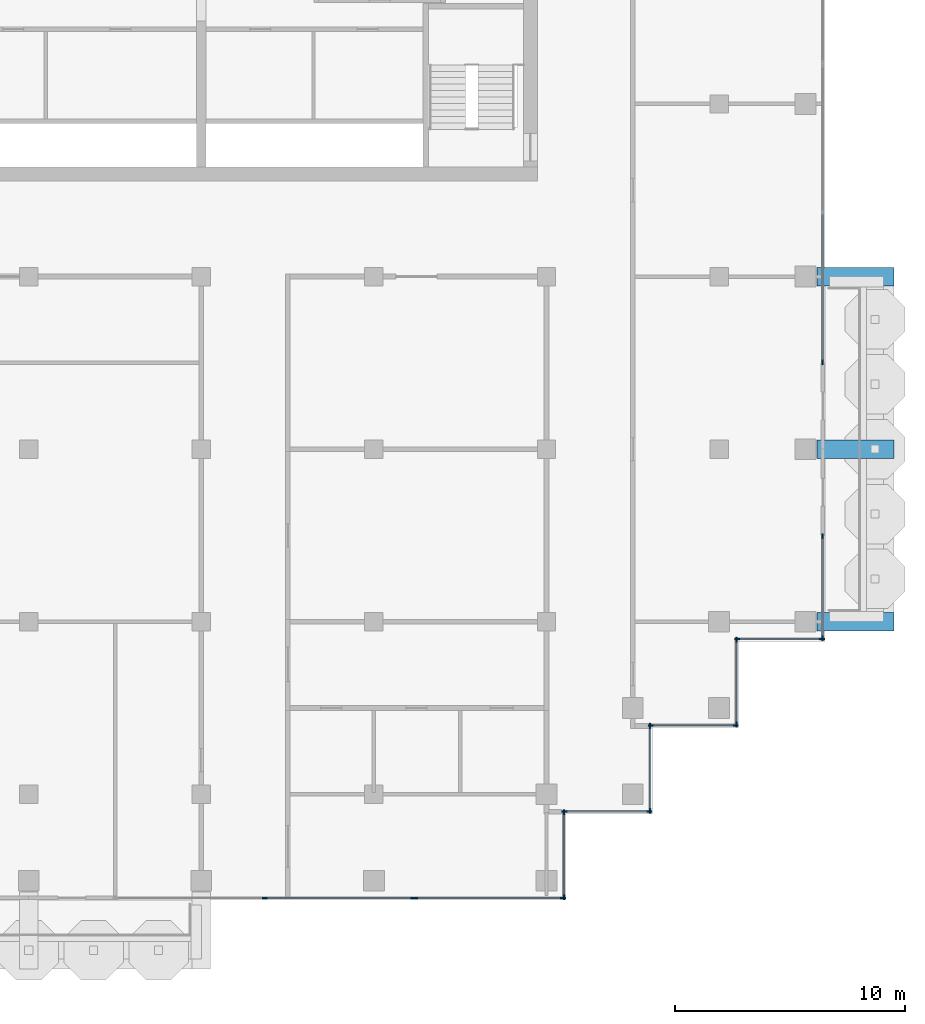
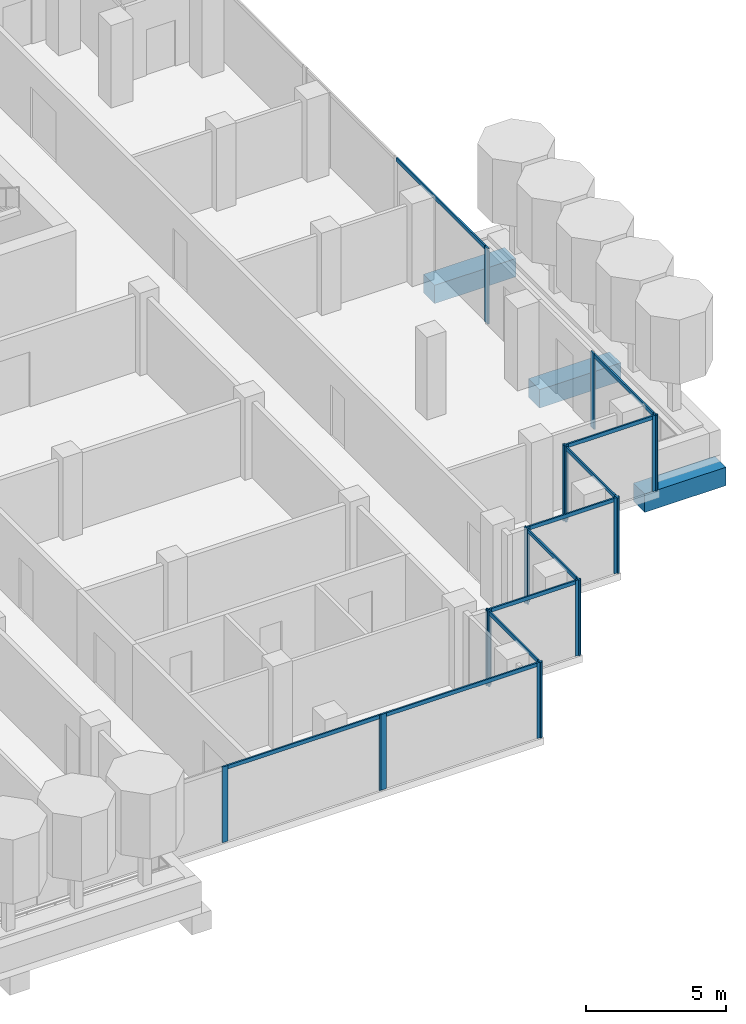
# One storey, part 4 of 18: 29 members, 3 beams, 10 elements without a shape of their own.
"""IFC4 building model written with IfcOpenShell, lengths in metres."""

from ifc_helpers import new_model, si_unit, direction, frame, origin, origin_2d, place, context, subcontext, project, spatial, rectangle, extrude, material, material_profile, profile_set, type_object, element, aggregate, save


model = new_model("IFC4")

# Units and contexts
model_context = context("Model", 3, precision=1e-05, world=origin(), true_north=direction((0.0, 1.0)))
body_context = subcontext(model_context, "Body", "Model", "MODEL_VIEW")
ifc_project = project(units=[si_unit("LENGTHUNIT", "METRE"), si_unit("AREAUNIT", "SQUARE_METRE"), si_unit("VOLUMEUNIT", "CUBIC_METRE"), si_unit("PLANEANGLEUNIT", "RADIAN"), si_unit("MASSUNIT", "GRAM", prefix="KILO")], contexts=[model_context])

# Site, building, storey
site_placement = place(None, origin())
site = spatial("IfcSite", under=ifc_project, at=site_placement, CompositionType="ELEMENT")
building_placement = place(site_placement, origin())
building = spatial("IfcBuilding", under=site, at=building_placement, Name="Pilkhan Gate Tower", CompositionType="ELEMENT")
storey_placement = place(building_placement, frame((0.0, 0.0, 228.300048828125)))
storey = spatial("IfcBuildingStorey", under=building, at=storey_placement, Name="L59", CompositionType="ELEMENT", Elevation=228.300048828125)

# Beams
ifc_material_1 = material(Name="Concrete C50/60", Category="concrete")
ifc_material_profile_1 = material_profile(ifc_material_1, rectangle(XDim=0.800048828125, YDim=0.800048828125, at=origin_2d()), Name="RC 800x800")
ifc_profile_set_1 = profile_set([ifc_material_profile_1], Name="Concrete C50/60")
beam_type = type_object("IfcBeamType", Name="Cantilever beam CB2 RC 800x800 C50/60", PredefinedType="BEAM", material=ifc_profile_set_1)
for number, where, z_axis, x_axis, name in (
    (1, (101.75, 52.5, -0.699951171875), (1.0, 0.0, 0.0), (0.0, 1.0, 0.0), "Balcony beam E.1 L59"),
    (2, (101.75, 60.0, -0.699951171875), (1.0, 0.0, 0.0), (0.0, 1.0, 0.0), "Balcony beam E.2 L59"),
    (3, (101.75, 67.5, -0.699951171875), (1.0, 0.0, 0.0), (0.0, 1.0, 0.0), "Balcony beam E.3 L59"),
):
    element("IfcBeam", number, at=place(storey_placement, frame(where, z_axis=z_axis, x_axis=x_axis)), inside=storey, type_object=beam_type, Name=name, PredefinedType="BEAM", context=body_context, shape_type="SweptSolid", body=[
        extrude(rectangle(XDim=0.800048828125, YDim=0.800048828125, at=origin_2d()), origin(), (0.0, 0.0, 1.0), 3.35009765625),
    ])

# Curtain wall, members
ifc_material_2 = material(Name="Pale anodised aluminium, clear low-iron double glazing", Category="aluminium")
curtain_wall_type = type_object("IfcCurtainWallType", Name="Office unitised curtain wall CW-O2", PredefinedType="USERDEFINED", material=ifc_material_2)
curtain_wall_1_placement = place(storey_placement, origin())
curtain_wall_1 = element("IfcCurtainWall", 4, at=curtain_wall_1_placement, inside=storey, type_object=curtain_wall_type, Name="Office unitised curtain wall CW-O2 L59 E", ObjectType="UNITISED CURTAIN WALL", PredefinedType="USERDEFINED")
ifc_material_3 = material(Name="Pale anodised aluminium", Category="aluminium")
ifc_material_profile_2 = material_profile(ifc_material_3, rectangle(XDim=0.06494140625, YDim=0.22509765625, at=origin_2d()), Name="Mullion 225x65")
ifc_profile_set_2 = profile_set([ifc_material_profile_2], Name="Pale anodised aluminium")
member_type_1 = type_object("IfcMemberType", Name="Mullion CW-O2 225x65", PredefinedType="MULLION", material=ifc_profile_set_2)
member_1_placement = place(storey_placement, frame((102.0, 51.782470703125, 0.0), z_axis=(0.0, 0.0, 1.0), x_axis=(-1.0, 0.0, 0.0)))
member_1 = element("IfcMember", 5, at=member_1_placement, type_object=member_type_1, Name="CW-O2 mullion 1", PredefinedType="MULLION", context=body_context, shape_type="SweptSolid", body=[
    extrude(rectangle(XDim=0.06494140625, YDim=0.22509765625, at=origin_2d()), origin(), (0.0, 0.0, 1.0), 3.300048828125),
])
member_2_placement = place(storey_placement, frame((102.0, 56.217529296875, 0.0), z_axis=(0.0, 0.0, 1.0), x_axis=(-1.0, 0.0, 0.0)))
member_2 = element("IfcMember", 6, at=member_2_placement, type_object=member_type_1, Name="CW-O2 mullion 2", PredefinedType="MULLION", context=body_context, shape_type="SweptSolid", body=[
    extrude(rectangle(XDim=0.06494140625, YDim=0.22509765625, at=origin_2d()), origin(), (0.0, 0.0, 1.0), 3.300048828125),
])

# Curtain wall, member
curtain_wall_2_placement = place(storey_placement, origin())
curtain_wall_2 = element("IfcCurtainWall", 7, at=curtain_wall_2_placement, inside=storey, type_object=curtain_wall_type, Name="Office unitised curtain wall CW-O2 L59 E", ObjectType="UNITISED CURTAIN WALL", PredefinedType="USERDEFINED")
member_3_placement = place(storey_placement, frame((102.0, 63.782470703125, 0.0), z_axis=(0.0, 0.0, 1.0), x_axis=(-1.0, 0.0, 0.0)))
member_3 = element("IfcMember", 8, at=member_3_placement, type_object=member_type_1, Name="CW-O2 mullion 1", PredefinedType="MULLION", context=body_context, shape_type="SweptSolid", body=[
    extrude(rectangle(XDim=0.06494140625, YDim=0.22509765625, at=origin_2d()), origin(), (0.0, 0.0, 1.0), 3.300048828125),
])

# Curtain wall, members
curtain_wall_3_placement = place(storey_placement, origin())
curtain_wall_3 = element("IfcCurtainWall", 9, at=curtain_wall_3_placement, inside=storey, type_object=curtain_wall_type, Name="Office unitised curtain wall CW-O2 L59 S", ObjectType="UNITISED CURTAIN WALL", PredefinedType="USERDEFINED")
member_4_placement = place(storey_placement, frame((77.75, 40.5, 0.0), z_axis=(0.0, 0.0, 1.0), x_axis=(0.0, 1.0, 0.0)))
member_4 = element("IfcMember", 10, at=member_4_placement, type_object=member_type_1, Name="CW-O2 mullion 2", PredefinedType="MULLION", context=body_context, shape_type="SweptSolid", body=[
    extrude(rectangle(XDim=0.06494140625, YDim=0.22509765625, at=origin_2d()), origin(), (0.0, 0.0, 1.0), 3.300048828125),
])
member_5_placement = place(storey_placement, frame((84.217529296875, 40.5, 0.0), z_axis=(0.0, 0.0, 1.0), x_axis=(0.0, 1.0, 0.0)))
member_5 = element("IfcMember", 11, at=member_5_placement, type_object=member_type_1, Name="CW-O2 mullion 3", PredefinedType="MULLION", context=body_context, shape_type="SweptSolid", body=[
    extrude(rectangle(XDim=0.06494140625, YDim=0.22509765625, at=origin_2d()), origin(), (0.0, 0.0, 1.0), 3.300048828125),
])

curtain_wall_4_placement = place(storey_placement, origin())
curtain_wall_4 = element("IfcCurtainWall", 12, at=curtain_wall_4_placement, inside=storey, type_object=curtain_wall_type, Name="Office unitised curtain wall CW-O2 L59 S", ObjectType="UNITISED CURTAIN WALL", PredefinedType="USERDEFINED")
member_6_placement = place(storey_placement, frame((84.282470703125, 40.5, 0.0), z_axis=(0.0, 0.0, 1.0), x_axis=(0.0, 1.0, 0.0)))
member_6 = element("IfcMember", 13, at=member_6_placement, type_object=member_type_1, Name="CW-O2 mullion 1", PredefinedType="MULLION", context=body_context, shape_type="SweptSolid", body=[
    extrude(rectangle(XDim=0.06494140625, YDim=0.22509765625, at=origin_2d()), origin(), (0.0, 0.0, 1.0), 3.300048828125),
])
member_7_placement = place(storey_placement, frame((90.717529296875, 40.5, 0.0), z_axis=(0.0, 0.0, 1.0), x_axis=(0.0, 1.0, 0.0)))
member_7 = element("IfcMember", 14, at=member_7_placement, type_object=member_type_1, Name="CW-O2 mullion 2", PredefinedType="MULLION", context=body_context, shape_type="SweptSolid", body=[
    extrude(rectangle(XDim=0.06494140625, YDim=0.22509765625, at=origin_2d()), origin(), (0.0, 0.0, 1.0), 3.300048828125),
])

curtain_wall_5_placement = place(storey_placement, origin())
curtain_wall_5 = element("IfcCurtainWall", 15, at=curtain_wall_5_placement, inside=storey, type_object=curtain_wall_type, Name="Office unitised curtain wall CW-O2 L59 E", ObjectType="UNITISED CURTAIN WALL", PredefinedType="USERDEFINED")
member_8_placement = place(storey_placement, frame((90.75, 40.532470703125, 0.0), z_axis=(0.0, 0.0, 1.0), x_axis=(-1.0, 0.0, 0.0)))
member_8 = element("IfcMember", 16, at=member_8_placement, type_object=member_type_1, Name="CW-O2 mullion 1", PredefinedType="MULLION", context=body_context, shape_type="SweptSolid", body=[
    extrude(rectangle(XDim=0.06494140625, YDim=0.22509765625, at=origin_2d()), origin(), (0.0, 0.0, 1.0), 3.300048828125),
])
member_9_placement = place(storey_placement, frame((90.75, 44.217529296875, 0.0), z_axis=(0.0, 0.0, 1.0), x_axis=(-1.0, 0.0, 0.0)))
member_9 = element("IfcMember", 17, at=member_9_placement, type_object=member_type_1, Name="CW-O2 mullion 2", PredefinedType="MULLION", context=body_context, shape_type="SweptSolid", body=[
    extrude(rectangle(XDim=0.06494140625, YDim=0.22509765625, at=origin_2d()), origin(), (0.0, 0.0, 1.0), 3.300048828125),
])

curtain_wall_6_placement = place(storey_placement, origin())
curtain_wall_6 = element("IfcCurtainWall", 18, at=curtain_wall_6_placement, inside=storey, type_object=curtain_wall_type, Name="Office unitised curtain wall CW-O2 L59 S", ObjectType="UNITISED CURTAIN WALL", PredefinedType="USERDEFINED")
member_10_placement = place(storey_placement, frame((90.782470703125, 44.25, 0.0), z_axis=(0.0, 0.0, 1.0), x_axis=(0.0, 1.0, 0.0)))
member_10 = element("IfcMember", 19, at=member_10_placement, type_object=member_type_1, Name="CW-O2 mullion 1", PredefinedType="MULLION", context=body_context, shape_type="SweptSolid", body=[
    extrude(rectangle(XDim=0.06494140625, YDim=0.22509765625, at=origin_2d()), origin(), (0.0, 0.0, 1.0), 3.300048828125),
])
member_11_placement = place(storey_placement, frame((94.467529296875, 44.25, 0.0), z_axis=(0.0, 0.0, 1.0), x_axis=(0.0, 1.0, 0.0)))
member_11 = element("IfcMember", 20, at=member_11_placement, type_object=member_type_1, Name="CW-O2 mullion 2", PredefinedType="MULLION", context=body_context, shape_type="SweptSolid", body=[
    extrude(rectangle(XDim=0.06494140625, YDim=0.22509765625, at=origin_2d()), origin(), (0.0, 0.0, 1.0), 3.300048828125),
])

curtain_wall_7_placement = place(storey_placement, origin())
curtain_wall_7 = element("IfcCurtainWall", 21, at=curtain_wall_7_placement, inside=storey, type_object=curtain_wall_type, Name="Office unitised curtain wall CW-O2 L59 E", ObjectType="UNITISED CURTAIN WALL", PredefinedType="USERDEFINED")
member_12_placement = place(storey_placement, frame((94.5, 44.282470703125, 0.0), z_axis=(0.0, 0.0, 1.0), x_axis=(-1.0, 0.0, 0.0)))
member_12 = element("IfcMember", 22, at=member_12_placement, type_object=member_type_1, Name="CW-O2 mullion 1", PredefinedType="MULLION", context=body_context, shape_type="SweptSolid", body=[
    extrude(rectangle(XDim=0.06494140625, YDim=0.22509765625, at=origin_2d()), origin(), (0.0, 0.0, 1.0), 3.300048828125),
])
member_13_placement = place(storey_placement, frame((94.5, 47.967529296875, 0.0), z_axis=(0.0, 0.0, 1.0), x_axis=(-1.0, 0.0, 0.0)))
member_13 = element("IfcMember", 23, at=member_13_placement, type_object=member_type_1, Name="CW-O2 mullion 2", PredefinedType="MULLION", context=body_context, shape_type="SweptSolid", body=[
    extrude(rectangle(XDim=0.06494140625, YDim=0.22509765625, at=origin_2d()), origin(), (0.0, 0.0, 1.0), 3.300048828125),
])

curtain_wall_8_placement = place(storey_placement, origin())
curtain_wall_8 = element("IfcCurtainWall", 24, at=curtain_wall_8_placement, inside=storey, type_object=curtain_wall_type, Name="Office unitised curtain wall CW-O2 L59 S", ObjectType="UNITISED CURTAIN WALL", PredefinedType="USERDEFINED")
member_14_placement = place(storey_placement, frame((94.532470703125, 48.0, 0.0), z_axis=(0.0, 0.0, 1.0), x_axis=(0.0, 1.0, 0.0)))
member_14 = element("IfcMember", 25, at=member_14_placement, type_object=member_type_1, Name="CW-O2 mullion 1", PredefinedType="MULLION", context=body_context, shape_type="SweptSolid", body=[
    extrude(rectangle(XDim=0.06494140625, YDim=0.22509765625, at=origin_2d()), origin(), (0.0, 0.0, 1.0), 3.300048828125),
])
member_15_placement = place(storey_placement, frame((98.217529296875, 48.0, 0.0), z_axis=(0.0, 0.0, 1.0), x_axis=(0.0, 1.0, 0.0)))
member_15 = element("IfcMember", 26, at=member_15_placement, type_object=member_type_1, Name="CW-O2 mullion 2", PredefinedType="MULLION", context=body_context, shape_type="SweptSolid", body=[
    extrude(rectangle(XDim=0.06494140625, YDim=0.22509765625, at=origin_2d()), origin(), (0.0, 0.0, 1.0), 3.300048828125),
])

curtain_wall_9_placement = place(storey_placement, origin())
curtain_wall_9 = element("IfcCurtainWall", 27, at=curtain_wall_9_placement, inside=storey, type_object=curtain_wall_type, Name="Office unitised curtain wall CW-O2 L59 E", ObjectType="UNITISED CURTAIN WALL", PredefinedType="USERDEFINED")
member_16_placement = place(storey_placement, frame((98.25, 48.032470703125, 0.0), z_axis=(0.0, 0.0, 1.0), x_axis=(-1.0, 0.0, 0.0)))
member_16 = element("IfcMember", 28, at=member_16_placement, type_object=member_type_1, Name="CW-O2 mullion 1", PredefinedType="MULLION", context=body_context, shape_type="SweptSolid", body=[
    extrude(rectangle(XDim=0.06494140625, YDim=0.22509765625, at=origin_2d()), origin(), (0.0, 0.0, 1.0), 3.300048828125),
])
member_17_placement = place(storey_placement, frame((98.25, 51.717529296875, 0.0), z_axis=(0.0, 0.0, 1.0), x_axis=(-1.0, 0.0, 0.0)))
member_17 = element("IfcMember", 29, at=member_17_placement, type_object=member_type_1, Name="CW-O2 mullion 2", PredefinedType="MULLION", context=body_context, shape_type="SweptSolid", body=[
    extrude(rectangle(XDim=0.06494140625, YDim=0.22509765625, at=origin_2d()), origin(), (0.0, 0.0, 1.0), 3.300048828125),
])

curtain_wall_10_placement = place(storey_placement, origin())
curtain_wall_10 = element("IfcCurtainWall", 30, at=curtain_wall_10_placement, inside=storey, type_object=curtain_wall_type, Name="Office unitised curtain wall CW-O2 L59 S", ObjectType="UNITISED CURTAIN WALL", PredefinedType="USERDEFINED")
member_18_placement = place(storey_placement, frame((98.282470703125, 51.75, 0.0), z_axis=(0.0, 0.0, 1.0), x_axis=(0.0, 1.0, 0.0)))
member_18 = element("IfcMember", 31, at=member_18_placement, type_object=member_type_1, Name="CW-O2 mullion 1", PredefinedType="MULLION", context=body_context, shape_type="SweptSolid", body=[
    extrude(rectangle(XDim=0.06494140625, YDim=0.22509765625, at=origin_2d()), origin(), (0.0, 0.0, 1.0), 3.300048828125),
])
member_19_placement = place(storey_placement, frame((101.967529296875, 51.75, 0.0), z_axis=(0.0, 0.0, 1.0), x_axis=(0.0, 1.0, 0.0)))
member_19 = element("IfcMember", 32, at=member_19_placement, type_object=member_type_1, Name="CW-O2 mullion 2", PredefinedType="MULLION", context=body_context, shape_type="SweptSolid", body=[
    extrude(rectangle(XDim=0.06494140625, YDim=0.22509765625, at=origin_2d()), origin(), (0.0, 0.0, 1.0), 3.300048828125),
])

# Member
ifc_material_profile_3 = material_profile(ifc_material_3, rectangle(XDim=0.06494140625, YDim=0.1650390625, at=origin_2d()), Name="Transom 165x65")
ifc_profile_set_3 = profile_set([ifc_material_profile_3], Name="Pale anodised aluminium")
member_type_2 = type_object("IfcMemberType", Name="Transom CW-O2 165x65", PredefinedType="USERDEFINED", material=ifc_profile_set_3)
member_20_placement = place(storey_placement, frame((102.0, 51.81494140625, 3.217529296875), z_axis=(0.0, 1.0, 0.0), x_axis=(-1.0, 0.0, 0.0)))
member_20 = element("IfcMember", 33, at=member_20_placement, type_object=member_type_2, Name="CW-O2 transom 1", ObjectType="TRANSOM", PredefinedType="USERDEFINED", context=body_context, shape_type="SweptSolid", body=[
    extrude(rectangle(XDim=0.06494140625, YDim=0.1650390625, at=origin_2d()), origin(), (0.0, 0.0, 1.0), 4.3701171875),
])

aggregate(curtain_wall_1, [member_1, member_2, member_20])

member_21_placement = place(storey_placement, frame((102.0, 63.81494140625, 3.217529296875), z_axis=(0.0, 1.0, 0.0), x_axis=(-1.0, 0.0, 0.0)))
member_21 = element("IfcMember", 34, at=member_21_placement, type_object=member_type_2, Name="CW-O2 transom 1", ObjectType="TRANSOM", PredefinedType="USERDEFINED", context=body_context, shape_type="SweptSolid", body=[
    extrude(rectangle(XDim=0.06494140625, YDim=0.1650390625, at=origin_2d()), origin(), (0.0, 0.0, 1.0), 6.402587890625),
])

aggregate(curtain_wall_2, [member_3, member_21])

member_22_placement = place(storey_placement, frame((77.782470703125, 40.5, 3.217529296875), z_axis=(1.0, 0.0, 0.0), x_axis=(0.0, 1.0, 0.0)))
member_22 = element("IfcMember", 35, at=member_22_placement, type_object=member_type_2, Name="CW-O2 transom 2", ObjectType="TRANSOM", PredefinedType="USERDEFINED", context=body_context, shape_type="SweptSolid", body=[
    extrude(rectangle(XDim=0.06494140625, YDim=0.1650390625, at=origin_2d()), origin(), (0.0, 0.0, 1.0), 6.402587890625),
])

aggregate(curtain_wall_3, [member_4, member_5, member_22])

member_23_placement = place(storey_placement, frame((84.31494140625, 40.5, 3.217529296875), z_axis=(1.0, 0.0, 0.0), x_axis=(0.0, 1.0, 0.0)))
member_23 = element("IfcMember", 36, at=member_23_placement, type_object=member_type_2, Name="CW-O2 transom 1", ObjectType="TRANSOM", PredefinedType="USERDEFINED", context=body_context, shape_type="SweptSolid", body=[
    extrude(rectangle(XDim=0.06494140625, YDim=0.1650390625, at=origin_2d()), origin(), (0.0, 0.0, 1.0), 6.3701171875),
])

aggregate(curtain_wall_4, [member_6, member_7, member_23])

member_24_placement = place(storey_placement, frame((90.75, 40.56494140625, 3.217529296875), z_axis=(0.0, 1.0, 0.0), x_axis=(-1.0, 0.0, 0.0)))
member_24 = element("IfcMember", 37, at=member_24_placement, type_object=member_type_2, Name="CW-O2 transom 1", ObjectType="TRANSOM", PredefinedType="USERDEFINED", context=body_context, shape_type="SweptSolid", body=[
    extrude(rectangle(XDim=0.06494140625, YDim=0.1650390625, at=origin_2d()), origin(), (0.0, 0.0, 1.0), 3.6201171875),
])

aggregate(curtain_wall_5, [member_8, member_9, member_24])

member_25_placement = place(storey_placement, frame((90.81494140625, 44.25, 3.217529296875), z_axis=(1.0, 0.0, 0.0), x_axis=(0.0, 1.0, 0.0)))
member_25 = element("IfcMember", 38, at=member_25_placement, type_object=member_type_2, Name="CW-O2 transom 1", ObjectType="TRANSOM", PredefinedType="USERDEFINED", context=body_context, shape_type="SweptSolid", body=[
    extrude(rectangle(XDim=0.06494140625, YDim=0.1650390625, at=origin_2d()), origin(), (0.0, 0.0, 1.0), 3.6201171875),
])

aggregate(curtain_wall_6, [member_10, member_11, member_25])

member_26_placement = place(storey_placement, frame((94.5, 44.31494140625, 3.217529296875), z_axis=(0.0, 1.0, 0.0), x_axis=(-1.0, 0.0, 0.0)))
member_26 = element("IfcMember", 39, at=member_26_placement, type_object=member_type_2, Name="CW-O2 transom 1", ObjectType="TRANSOM", PredefinedType="USERDEFINED", context=body_context, shape_type="SweptSolid", body=[
    extrude(rectangle(XDim=0.06494140625, YDim=0.1650390625, at=origin_2d()), origin(), (0.0, 0.0, 1.0), 3.6201171875),
])

aggregate(curtain_wall_7, [member_12, member_13, member_26])

member_27_placement = place(storey_placement, frame((94.56494140625, 48.0, 3.217529296875), z_axis=(1.0, 0.0, 0.0), x_axis=(0.0, 1.0, 0.0)))
member_27 = element("IfcMember", 40, at=member_27_placement, type_object=member_type_2, Name="CW-O2 transom 1", ObjectType="TRANSOM", PredefinedType="USERDEFINED", context=body_context, shape_type="SweptSolid", body=[
    extrude(rectangle(XDim=0.06494140625, YDim=0.1650390625, at=origin_2d()), origin(), (0.0, 0.0, 1.0), 3.6201171875),
])

aggregate(curtain_wall_8, [member_14, member_15, member_27])

member_28_placement = place(storey_placement, frame((98.25, 48.06494140625, 3.217529296875), z_axis=(0.0, 1.0, 0.0), x_axis=(-1.0, 0.0, 0.0)))
member_28 = element("IfcMember", 41, at=member_28_placement, type_object=member_type_2, Name="CW-O2 transom 1", ObjectType="TRANSOM", PredefinedType="USERDEFINED", context=body_context, shape_type="SweptSolid", body=[
    extrude(rectangle(XDim=0.06494140625, YDim=0.1650390625, at=origin_2d()), origin(), (0.0, 0.0, 1.0), 3.6201171875),
])

aggregate(curtain_wall_9, [member_16, member_17, member_28])

member_29_placement = place(storey_placement, frame((98.31494140625, 51.75, 3.217529296875), z_axis=(1.0, 0.0, 0.0), x_axis=(0.0, 1.0, 0.0)))
member_29 = element("IfcMember", 42, at=member_29_placement, type_object=member_type_2, Name="CW-O2 transom 1", ObjectType="TRANSOM", PredefinedType="USERDEFINED", context=body_context, shape_type="SweptSolid", body=[
    extrude(rectangle(XDim=0.06494140625, YDim=0.1650390625, at=origin_2d()), origin(), (0.0, 0.0, 1.0), 3.6201171875),
])

aggregate(curtain_wall_10, [member_18, member_19, member_29])

save(model, "model.ifc")
